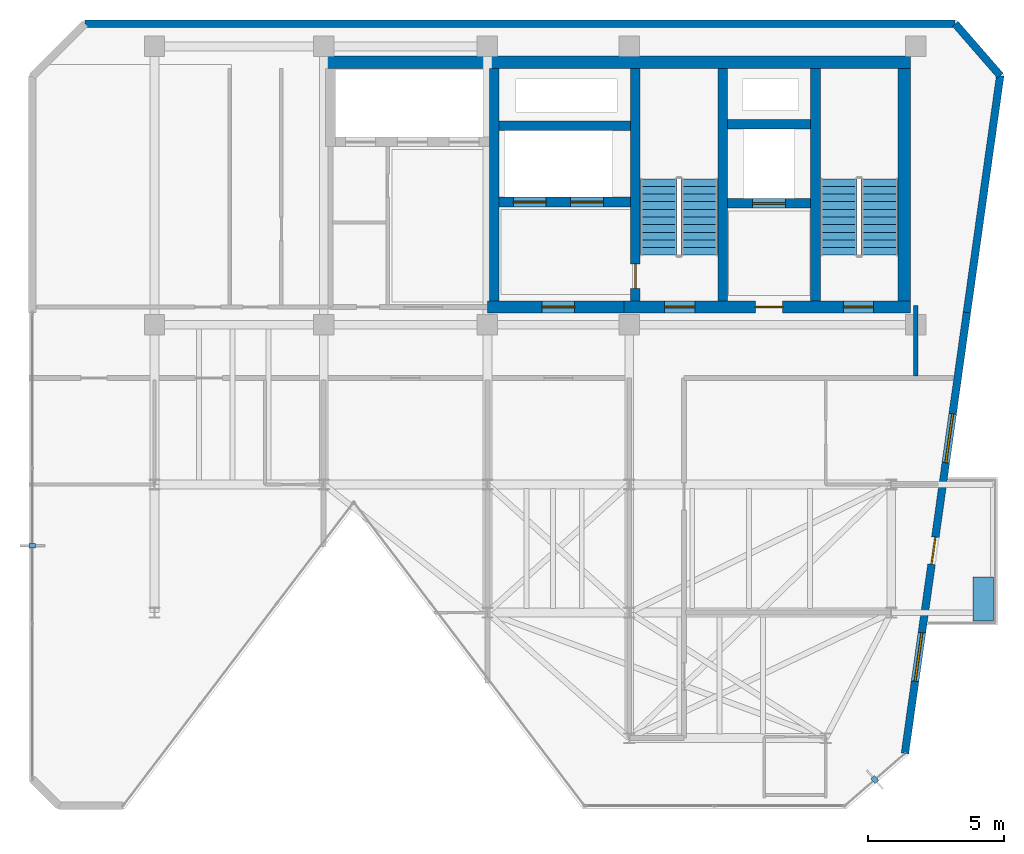
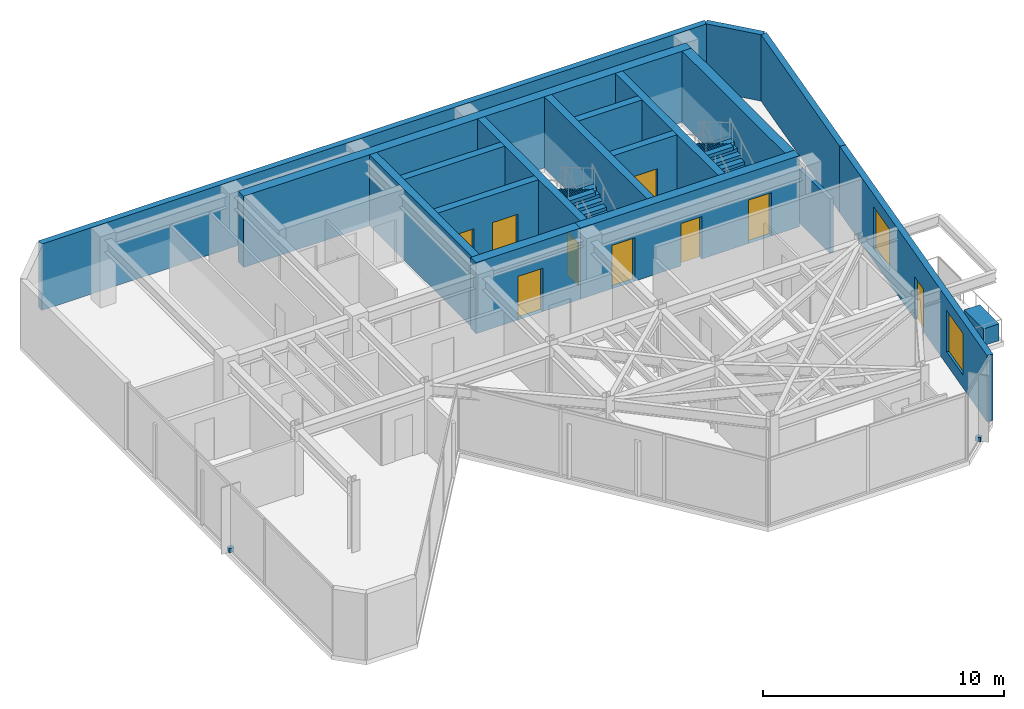
# One storey, part 14 of 16: 17 walls, 9 doors, 4 stair flights, 3 discrete accessories, 2 windows, 11 openings, 2 elements without a shape of their own.
"""IFC4 building model written with IfcOpenShell, lengths in metres."""

from ifc_helpers import new_model, si_unit, direction, frame, frame_2d, origin, origin_2d, place, context, subcontext, project, spatial, polyline, rectangle, outline, extrude, material, layer, layer_set, type_object, element, fill, aggregate, save


model = new_model("IFC4")

# Units and contexts
model_context = context("Model", 3, precision=1e-05, world=origin(), true_north=direction((0.0, 1.0)))
body_context = subcontext(model_context, "Body", "Model", "MODEL_VIEW")
ifc_project = project(units=[si_unit("LENGTHUNIT", "METRE"), si_unit("AREAUNIT", "SQUARE_METRE"), si_unit("VOLUMEUNIT", "CUBIC_METRE"), si_unit("PLANEANGLEUNIT", "RADIAN"), si_unit("MASSUNIT", "GRAM", prefix="KILO")], contexts=[model_context])

# Site, building, storey
site_placement = place(None, origin())
site = spatial("IfcSite", under=ifc_project, at=site_placement, CompositionType="ELEMENT")
building_placement = place(site_placement, origin())
building = spatial("IfcBuilding", under=site, at=building_placement, Name="Kravanh Interchange Tower", CompositionType="ELEMENT")
storey_placement = place(building_placement, frame((0.0, 0.0, 303.89990234375)))
storey = spatial("IfcBuildingStorey", under=building, at=storey_placement, Name="L75", CompositionType="ELEMENT", Elevation=303.89990234375)

# Walls
ifc_material_1 = material(Name="Concrete C60/75", Category="concrete")
ifc_layer_1 = layer(ifc_material_1, 0.35009765625)
ifc_layer_set_1 = layer_set([ifc_layer_1], Name="Core Shear Wall Concrete C60/75 350mm")
wall_type_1 = type_object("IfcWallType", Name="Core Shear Wall Concrete C60/75 350mm", PredefinedType="SHEAR", material=ifc_layer_set_1)
for number, where, z_axis, x_axis, name in (
    (1, (62.824951171875, 38.22509765625, 0.0), (0.0, 0.0, 1.0), (0.0, 1.0, 0.0), "L75 Stair ST1 West Shear Wall"),
    (2, (59.425048828125, 38.22509765625, 0.0), (0.0, 0.0, 1.0), (0.0, 1.0, 0.0), "L75 Stair ST2 East Shear Wall"),
):
    element("IfcWall", number, at=place(storey_placement, frame(where, z_axis=z_axis, x_axis=x_axis)), inside=storey, type_object=wall_type_1, Name=name, PredefinedType="SHEAR", context=body_context, shape_type="SweptSolid", body=[
        extrude(rectangle(XDim=8.52490234375, YDim=0.35009765625, at=frame_2d((4.262451171875, 0.0))), origin(), (0.0, 0.0, 1.0), 3.60009765625),
    ])

# Wall, opening, door
wall_1_placement = place(storey_placement, frame((56.22509765625, 38.22509765625, 0.0), z_axis=(0.0, 0.0, 1.0), x_axis=(0.0, 1.0, 0.0)))
wall_1 = element("IfcWall", 3, at=wall_1_placement, inside=storey, type_object=wall_type_1, Name="L75 Stair ST2 West Shear Wall", PredefinedType="SHEAR", context=body_context, shape_type="SweptSolid", body=[
    extrude(rectangle(XDim=8.52490234375, YDim=0.35009765625, at=frame_2d((4.262451171875, 0.0))), origin(), (0.0, 0.0, 1.0), 3.60009765625),
])
opening_1_placement = place(wall_1_placement, frame((0.455078125, 0.0, 0.0)))
opening_1 = element("IfcOpeningElement", 4, at=opening_1_placement, cuts=wall_1, Name="Opening D-STAIR-90", PredefinedType="OPENING", context=body_context, shape_type="SweptSolid", body=[
    extrude(rectangle(XDim=0.89990234375, YDim=2.14990234375, at=frame_2d((0.449951171875, 1.074951171875))), frame((0.0, 0.18505859375, 0.0), z_axis=(0.0, -1.0, 0.0), x_axis=(1.0, 0.0, 0.0)), (0.0, 0.0, 1.0), 0.3701171875),
])
ifc_material_2 = material(Name="Structural Steel S355", Category="steel")
door_type_1 = type_object("IfcDoorType", Name="Fire-Rated Stair Lobby Door 900x2150", OperationType="NOTDEFINED", PredefinedType="DOOR", material=ifc_material_2)
door_1_placement = place(opening_1_placement, origin())
door_1 = element("IfcDoor", 5, at=door_1_placement, inside=storey, type_object=door_type_1, Name="L75 Firefighting Lobby to Stair ST2 Door", OperationType="SINGLE_SWING_LEFT", OverallHeight=2.14990234375, OverallWidth=0.89990234375, PredefinedType="DOOR", context=body_context, shape_type="SweptSolid", body=[
    extrude(rectangle(XDim=0.89990234375, YDim=2.14990234375, at=frame_2d((0.449951171875, 1.074951171875))), frame((0.0, 0.02490234375, 0.0), z_axis=(0.0, -1.0, 0.0), x_axis=(1.0, 0.0, 0.0)), (0.0, 0.0, 1.0), 0.050048828125),
])
fill(opening_1, door_1)

wall_2_placement = place(storey_placement, frame((59.60009765625, 41.800048828125, 0.0), z_axis=(0.0, 0.0, 1.0), x_axis=(1.0, 0.0, 0.0)))
wall_2 = element("IfcWall", 6, at=wall_2_placement, inside=storey, type_object=wall_type_1, Name="L75 Service Lift Shaft South Wall", PredefinedType="SHEAR", context=body_context, shape_type="SweptSolid", body=[
    extrude(rectangle(XDim=3.0498046875, YDim=0.35009765625, at=frame_2d((1.52490234375, 0.0))), origin(), (0.0, 0.0, 1.0), 3.60009765625),
])
opening_2_placement = place(wall_2_placement, frame((0.919921875, 0.0, 0.0)))
opening_2 = element("IfcOpeningElement", 7, at=opening_2_placement, cuts=wall_2, Name="Opening LD02", PredefinedType="OPENING", context=body_context, shape_type="SweptSolid", body=[
    extrude(rectangle(XDim=1.199951171875, YDim=2.199951171875, at=frame_2d((0.60009765625, 1.10009765625))), frame((0.0, 0.18505859375, 0.0), z_axis=(0.0, -1.0, 0.0), x_axis=(1.0, 0.0, 0.0)), (0.0, 0.0, 1.0), 0.3701171875),
])
ifc_material_3 = material(Name="Stainless Steel 316", Category="steel")
door_type_2 = type_object("IfcDoorType", Name="Fire and Service Lift Sliding Landing Door 1200x2200", OperationType="DOUBLE_DOOR_SLIDING", PredefinedType="DOOR", material=ifc_material_3)
door_2_placement = place(opening_2_placement, origin())
door_2 = element("IfcDoor", 8, at=door_2_placement, inside=storey, type_object=door_type_2, Name="L75 Lift LS-01 Landing Door", OperationType="DOUBLE_DOOR_SLIDING", OverallHeight=2.199951171875, OverallWidth=1.199951171875, PredefinedType="DOOR", context=body_context, shape_type="SweptSolid", body=[
    extrude(rectangle(XDim=1.199951171875, YDim=2.199951171875, at=frame_2d((0.60009765625, 1.10009765625))), frame((0.0, 0.02490234375, 0.0), z_axis=(0.0, -1.0, 0.0), x_axis=(1.0, 0.0, 0.0)), (0.0, 0.0, 1.0), 0.050048828125),
])
fill(opening_2, door_2)

# Wall
wall_3_placement = place(storey_placement, frame((59.60009765625, 44.699951171875, 0.0), z_axis=(0.0, 0.0, 1.0), x_axis=(1.0, 0.0, 0.0)))
element("IfcWall", 9, at=wall_3_placement, inside=storey, type_object=wall_type_1, Name="L75 Service Lift Shaft North Wall", PredefinedType="SHEAR", context=body_context, shape_type="SweptSolid", body=[
    extrude(rectangle(XDim=3.0498046875, YDim=0.35009765625, at=frame_2d((1.52490234375, 0.0))), origin(), (0.0, 0.0, 1.0), 3.60009765625),
])

# Wall, openings, doors
wall_4_placement = place(storey_placement, frame((51.22509765625, 41.85009765625, 0.0), z_axis=(0.0, 0.0, 1.0), x_axis=(1.0, 0.0, 0.0)))
wall_4 = element("IfcWall", 10, at=wall_4_placement, inside=storey, type_object=wall_type_1, Name="L75 Fire Lift Shaft South Wall", PredefinedType="SHEAR", context=body_context, shape_type="SweptSolid", body=[
    extrude(rectangle(XDim=4.824951171875, YDim=0.35009765625, at=frame_2d((2.41259765625, 0.0))), origin(), (0.0, 0.0, 1.0), 3.60009765625),
])
opening_3_placement = place(wall_4_placement, frame((0.52490234375, 0.0, 0.0)))
opening_3 = element("IfcOpeningElement", 11, at=opening_3_placement, cuts=wall_4, Name="Opening LD02", PredefinedType="OPENING", context=body_context, shape_type="SweptSolid", body=[
    extrude(rectangle(XDim=1.199951171875, YDim=2.199951171875, at=frame_2d((0.60009765625, 1.10009765625))), frame((0.0, 0.18505859375, 0.0), z_axis=(0.0, -1.0, 0.0), x_axis=(1.0, 0.0, 0.0)), (0.0, 0.0, 1.0), 0.3701171875),
])
opening_4_placement = place(wall_4_placement, frame((2.625, 0.0, 0.0)))
opening_4 = element("IfcOpeningElement", 12, at=opening_4_placement, cuts=wall_4, Name="Opening LD02", PredefinedType="OPENING", context=body_context, shape_type="SweptSolid", body=[
    extrude(rectangle(XDim=1.199951171875, YDim=2.199951171875, at=frame_2d((0.60009765625, 1.10009765625))), frame((0.0, 0.18505859375, 0.0), z_axis=(0.0, -1.0, 0.0), x_axis=(1.0, 0.0, 0.0)), (0.0, 0.0, 1.0), 0.3701171875),
])
door_3_placement = place(opening_3_placement, origin())
door_3 = element("IfcDoor", 13, at=door_3_placement, inside=storey, type_object=door_type_2, Name="L75 Lift FSAE-01 Landing Door", OperationType="DOUBLE_DOOR_SLIDING", OverallHeight=2.199951171875, OverallWidth=1.199951171875, PredefinedType="DOOR", context=body_context, shape_type="SweptSolid", body=[
    extrude(rectangle(XDim=1.199951171875, YDim=2.199951171875, at=frame_2d((0.60009765625, 1.10009765625))), frame((0.0, 0.02490234375, 0.0), z_axis=(0.0, -1.0, 0.0), x_axis=(1.0, 0.0, 0.0)), (0.0, 0.0, 1.0), 0.050048828125),
])
fill(opening_3, door_3)
door_4_placement = place(opening_4_placement, origin())
door_4 = element("IfcDoor", 14, at=door_4_placement, inside=storey, type_object=door_type_2, Name="L75 Lift FSAE-02 Landing Door", OperationType="DOUBLE_DOOR_SLIDING", OverallHeight=2.199951171875, OverallWidth=1.199951171875, PredefinedType="DOOR", context=body_context, shape_type="SweptSolid", body=[
    extrude(rectangle(XDim=1.199951171875, YDim=2.199951171875, at=frame_2d((0.60009765625, 1.10009765625))), frame((0.0, 0.02490234375, 0.0), z_axis=(0.0, -1.0, 0.0), x_axis=(1.0, 0.0, 0.0)), (0.0, 0.0, 1.0), 0.050048828125),
])
fill(opening_4, door_4)

# Walls
wall_5_placement = place(storey_placement, frame((51.22509765625, 44.64990234375, 0.0), z_axis=(0.0, 0.0, 1.0), x_axis=(1.0, 0.0, 0.0)))
element("IfcWall", 15, at=wall_5_placement, inside=storey, type_object=wall_type_1, Name="L75 Fire Lift Shaft North Wall", PredefinedType="SHEAR", context=body_context, shape_type="SweptSolid", body=[
    extrude(rectangle(XDim=4.824951171875, YDim=0.35009765625, at=frame_2d((2.41259765625, 0.0))), origin(), (0.0, 0.0, 1.0), 3.60009765625),
])
wall_6_placement = place(storey_placement, frame((51.050048828125, 38.22509765625, 0.0), z_axis=(0.0, 0.0, 1.0), x_axis=(0.0, 1.0, 0.0)))
element("IfcWall", 16, at=wall_6_placement, inside=storey, type_object=wall_type_1, Name="L75 Firefighting Lobby West Wall", PredefinedType="SHEAR", context=body_context, shape_type="SweptSolid", body=[
    extrude(rectangle(XDim=8.52490234375, YDim=0.35009765625, at=frame_2d((4.262451171875, 0.0))), origin(), (0.0, 0.0, 1.0), 3.60009765625),
])
ifc_material_4 = material(Name="Concrete C60/75", Category="concrete")
ifc_layer_2 = layer(ifc_material_4, 0.449951171875)
ifc_layer_set_2 = layer_set([ifc_layer_2], Name="Core Shear Wall Concrete C60/75 450mm")
wall_type_2 = type_object("IfcWallType", Name="Core Shear Wall Concrete C60/75 450mm", PredefinedType="SHEAR", material=ifc_layer_set_2)
wall_7_placement = place(storey_placement, frame((44.85009765625, 46.97509765625, 0.0), z_axis=(0.0, 0.0, 1.0), x_axis=(1.0, 0.0, 0.0)))
element("IfcWall", 17, at=wall_7_placement, inside=storey, type_object=wall_type_2, Name="L75 North Core Shear Wall", PredefinedType="SHEAR", context=body_context, shape_type="SweptSolid", body=[
    extrude(rectangle(XDim=21.449951171875, YDim=0.449951171875, at=frame_2d((10.72509765625, 0.0))), origin(), (0.0, 0.0, 1.0), 3.60009765625),
])

# Wall, openings, doors
wall_8_placement = place(storey_placement, frame((55.800048828125, 38.0, 0.0), z_axis=(0.0, 0.0, 1.0), x_axis=(1.0, 0.0, 0.0)))
wall_8 = element("IfcWall", 18, at=wall_8_placement, inside=storey, type_object=wall_type_2, Name="L75 East Core South Shear Wall", PredefinedType="SHEAR", context=body_context, shape_type="SweptSolid", body=[
    extrude(rectangle(XDim=10.5, YDim=0.449951171875, at=frame_2d((5.25, 0.0))), origin(), (0.0, 0.0, 1.0), 3.60009765625),
])
opening_5_placement = place(wall_8_placement, frame((1.5, 0.0, 0.0)))
opening_5 = element("IfcOpeningElement", 19, at=opening_5_placement, cuts=wall_8, Name="Opening D-STAIR-110", PredefinedType="OPENING", context=body_context, shape_type="SweptSolid", body=[
    extrude(rectangle(XDim=1.10009765625, YDim=2.199951171875, at=frame_2d((0.550048828125, 1.10009765625))), frame((0.0, 0.23486328125, 0.0), z_axis=(0.0, -1.0, 0.0), x_axis=(1.0, 0.0, 0.0)), (0.0, 0.0, 1.0), 0.469970703125),
])
opening_6_placement = place(wall_8_placement, frame((4.820068359375, 0.0, 0.0)))
opening_6 = element("IfcOpeningElement", 20, at=opening_6_placement, cuts=wall_8, Name="Opening D-HOTEL-100", PredefinedType="OPENING", context=body_context, shape_type="SweptSolid", body=[
    extrude(rectangle(XDim=1.0, YDim=2.14990234375, at=frame_2d((0.5, 1.074951171875))), frame((0.0, 0.23486328125, 0.0), z_axis=(0.0, -1.0, 0.0), x_axis=(1.0, 0.0, 0.0)), (0.0, 0.0, 1.0), 0.469970703125),
])
opening_7_placement = place(wall_8_placement, frame((8.050048828125, 0.0, 0.0)))
opening_7 = element("IfcOpeningElement", 21, at=opening_7_placement, cuts=wall_8, Name="Opening D-STAIR-110", PredefinedType="OPENING", context=body_context, shape_type="SweptSolid", body=[
    extrude(rectangle(XDim=1.10009765625, YDim=2.199951171875, at=frame_2d((0.550048828125, 1.10009765625))), frame((0.0, 0.23486328125, 0.0), z_axis=(0.0, -1.0, 0.0), x_axis=(1.0, 0.0, 0.0)), (0.0, 0.0, 1.0), 0.469970703125),
])
ifc_material_5 = material(Name="Structural Steel S355", Category="steel")
door_type_3 = type_object("IfcDoorType", Name="Fire-Rated Exit Stair Door 1100x2200", OperationType="NOTDEFINED", PredefinedType="DOOR", material=ifc_material_5)
door_5_placement = place(opening_5_placement, origin())
door_5 = element("IfcDoor", 22, at=door_5_placement, inside=storey, type_object=door_type_3, Name="L75 Exit Stair ST2 Door", OperationType="SINGLE_SWING_RIGHT", OverallHeight=2.199951171875, OverallWidth=1.10009765625, PredefinedType="DOOR", context=body_context, shape_type="SweptSolid", body=[
    extrude(rectangle(XDim=1.10009765625, YDim=2.199951171875, at=frame_2d((0.550048828125, 1.10009765625))), frame((0.0, 0.02490234375, 0.0), z_axis=(0.0, -1.0, 0.0), x_axis=(1.0, 0.0, 0.0)), (0.0, 0.0, 1.0), 0.050048828125),
])
fill(opening_5, door_5)
door_6_placement = place(opening_7_placement, origin())
door_6 = element("IfcDoor", 23, at=door_6_placement, inside=storey, type_object=door_type_3, Name="L75 Exit Stair ST1 Door", OperationType="SINGLE_SWING_RIGHT", OverallHeight=2.199951171875, OverallWidth=1.10009765625, PredefinedType="DOOR", context=body_context, shape_type="SweptSolid", body=[
    extrude(rectangle(XDim=1.10009765625, YDim=2.199951171875, at=frame_2d((0.550048828125, 1.10009765625))), frame((0.0, 0.02490234375, 0.0), z_axis=(0.0, -1.0, 0.0), x_axis=(1.0, 0.0, 0.0)), (0.0, 0.0, 1.0), 0.050048828125),
])
fill(opening_7, door_6)
ifc_material_6 = material(Name="Fire-Rated Solid Timber Leaf", Category="wood")
door_type_4 = type_object("IfcDoorType", Name="Fire-Rated Suite Entrance Door 1000x2150", OperationType="NOTDEFINED", PredefinedType="DOOR", material=ifc_material_6)
door_7_placement = place(opening_6_placement, origin())
door_7 = element("IfcDoor", 24, at=door_7_placement, inside=storey, type_object=door_type_4, Name="L75 Service Lift Lobby Door", OperationType="SINGLE_SWING_RIGHT", OverallHeight=2.14990234375, OverallWidth=1.0, PredefinedType="DOOR", context=body_context, shape_type="SweptSolid", body=[
    extrude(rectangle(XDim=1.0, YDim=2.14990234375, at=frame_2d((0.5, 1.074951171875))), frame((0.0, 0.02490234375, 0.0), z_axis=(0.0, -1.0, 0.0), x_axis=(1.0, 0.0, 0.0)), (0.0, 0.0, 1.0), 0.050048828125),
])
fill(opening_6, door_7)

# Wall
wall_9_placement = place(storey_placement, frame((66.074951171875, 38.22509765625, 0.0), z_axis=(0.0, 0.0, 1.0), x_axis=(0.0, 1.0, 0.0)))
element("IfcWall", 25, at=wall_9_placement, inside=storey, type_object=wall_type_2, Name="L75 Stair ST1 East Shear Wall", PredefinedType="SHEAR", context=body_context, shape_type="SweptSolid", body=[
    extrude(rectangle(XDim=8.52490234375, YDim=0.449951171875, at=frame_2d((4.262451171875, 0.0))), origin(), (0.0, 0.0, 1.0), 3.60009765625),
])

# Wall, opening, door
wall_10_placement = place(storey_placement, frame((50.800048828125, 38.0, 0.0), z_axis=(0.0, 0.0, 1.0), x_axis=(1.0, 0.0, 0.0)))
wall_10 = element("IfcWall", 26, at=wall_10_placement, inside=storey, type_object=wall_type_2, Name="L75 Firefighting Lobby South Shear Wall", PredefinedType="SHEAR", context=body_context, shape_type="SweptSolid", body=[
    extrude(rectangle(XDim=5.0, YDim=0.449951171875, at=frame_2d((2.5, 0.0))), origin(), (0.0, 0.0, 1.0), 3.60009765625),
])
opening_8_placement = place(wall_10_placement, frame((2.0, 0.0, 0.0)))
opening_8 = element("IfcOpeningElement", 27, at=opening_8_placement, cuts=wall_10, Name="Opening D-FSAE-120", PredefinedType="OPENING", context=body_context, shape_type="SweptSolid", body=[
    extrude(rectangle(XDim=1.199951171875, YDim=2.199951171875, at=frame_2d((0.60009765625, 1.10009765625))), frame((0.0, 0.23486328125, 0.0), z_axis=(0.0, -1.0, 0.0), x_axis=(1.0, 0.0, 0.0)), (0.0, 0.0, 1.0), 0.469970703125),
])
ifc_material_7 = material(Name="Structural Steel S355", Category="steel")
door_type_5 = type_object("IfcDoorType", Name="Fire-Rated Refuge and FSAE Door 1200x2200", OperationType="NOTDEFINED", PredefinedType="DOOR", material=ifc_material_7)
door_8_placement = place(opening_8_placement, origin())
door_8 = element("IfcDoor", 28, at=door_8_placement, inside=storey, type_object=door_type_5, Name="L75 Firefighting Lobby Corridor Door", OperationType="SINGLE_SWING_RIGHT", OverallHeight=2.199951171875, OverallWidth=1.199951171875, PredefinedType="DOOR", context=body_context, shape_type="SweptSolid", body=[
    extrude(rectangle(XDim=1.199951171875, YDim=2.199951171875, at=frame_2d((0.60009765625, 1.10009765625))), frame((0.0, 0.02490234375, 0.0), z_axis=(0.0, -1.0, 0.0), x_axis=(1.0, 0.0, 0.0)), (0.0, 0.0, 1.0), 0.050048828125),
])
fill(opening_8, door_8)

# Walls
ifc_material_8 = material(Name="Insulated Precast Concrete C40/50 with Bronze Cladding", Category="concrete")
ifc_layer_3 = layer(ifc_material_8, 0.280029296875)
ifc_layer_set_3 = layer_set([ifc_layer_3], Name="Exterior Insulated Concrete C40/50 Bronze Spandrel Wall 280mm")
wall_type_3 = type_object("IfcWallType", Name="Exterior Insulated Concrete C40/50 Bronze Spandrel Wall 280mm", PredefinedType="STANDARD", material=ifc_layer_set_3)
wall_11_placement = place(storey_placement, frame((36.0498046875, 48.3798828125, 0.0), z_axis=(0.0, 0.0, 1.0), x_axis=(1.0, 0.0, 0.0)))
element("IfcWall", 29, at=wall_11_placement, inside=storey, type_object=wall_type_3, Name="L75 Exterior Wall 3", PredefinedType="STANDARD", context=body_context, shape_type="SweptSolid", body=[
    extrude(rectangle(XDim=31.8955078125, YDim=0.280029296875, at=frame_2d((15.94775390625, 0.0))), origin(), (0.0, 0.0, 1.0), 3.364990234375),
])
wall_12_placement = place(storey_placement, frame((67.9453125, 48.3798828125, 0.0), z_axis=(0.0, 0.0, 1.0), x_axis=(0.656068147197, -0.75470165379, 0.0)))
element("IfcWall", 30, at=wall_12_placement, inside=storey, type_object=wall_type_3, Name="L75 Exterior Wall 4", PredefinedType="STANDARD", context=body_context, shape_type="SweptSolid", body=[
    extrude(rectangle(XDim=2.514892578125, YDim=0.280029296875, at=frame_2d((1.25732421875, 0.0))), origin(), (0.0, 0.0, 1.0), 3.364990234375),
])
wall_13_placement = place(storey_placement, frame((69.59521484375, 46.48193359375, 0.0), z_axis=(0.0, 0.0, 1.0), x_axis=(-0.139179310088, -0.990267196086, 0.0)))
element("IfcWall", 31, at=wall_13_placement, inside=storey, type_object=wall_type_3, Name="L75 Exterior Wall 5", PredefinedType="STANDARD", context=body_context, shape_type="SweptSolid", body=[
    extrude(rectangle(XDim=8.767333984375, YDim=0.280029296875, at=frame_2d((4.3837890625, 0.0))), origin(), (0.0, 0.0, 1.0), 3.364990234375),
])

# Wall, openings, door, windows
wall_14_placement = place(storey_placement, frame((68.375, 37.800048828125, 0.0), z_axis=(0.0, 0.0, 1.0), x_axis=(-0.139177573889, -0.990267440102, 0.0)))
wall_14 = element("IfcWall", 32, at=wall_14_placement, inside=storey, type_object=wall_type_3, Name="L75 Exterior Wall 6", PredefinedType="STANDARD", context=body_context, shape_type="SweptSolid", body=[
    extrude(rectangle(XDim=16.317138671875, YDim=0.280029296875, at=frame_2d((8.15869140625, 0.0))), origin(), (0.0, 0.0, 1.0), 3.364990234375),
])
opening_9_placement = place(wall_14_placement, frame((8.319091796875, 0.0, 0.0)))
opening_9 = element("IfcOpeningElement", 33, at=opening_9_placement, cuts=wall_14, Name="Opening ED-BAL100", PredefinedType="OPENING", context=body_context, shape_type="SweptSolid", body=[
    extrude(rectangle(XDim=1.0, YDim=2.14990234375, at=frame_2d((0.5, 1.074951171875))), frame((0.0, 0.14990234375, 0.0), z_axis=(0.0, -1.0, 0.0), x_axis=(1.0, 0.0, 0.0)), (0.0, 0.0, 1.0), 0.300048828125),
])
opening_10_placement = place(wall_14_placement, frame((3.75439453125, 0.0, 0.64990234375)))
opening_10 = element("IfcOpeningElement", 34, at=opening_10_placement, cuts=wall_14, Name="Opening WN-180X210", PredefinedType="OPENING", context=body_context, shape_type="SweptSolid", body=[
    extrude(rectangle(XDim=1.800048828125, YDim=2.10009765625, at=frame_2d((0.89990234375, 1.050048828125))), frame((0.0, 0.14990234375, 0.0), z_axis=(0.0, -1.0, 0.0), x_axis=(1.0, 0.0, 0.0)), (0.0, 0.0, 1.0), 0.300048828125),
])
opening_11_placement = place(wall_14_placement, frame((11.850341796875, 0.0, 0.64990234375)))
opening_11 = element("IfcOpeningElement", 35, at=opening_11_placement, cuts=wall_14, Name="Opening WN-180X210", PredefinedType="OPENING", context=body_context, shape_type="SweptSolid", body=[
    extrude(rectangle(XDim=1.800048828125, YDim=2.10009765625, at=frame_2d((0.89990234375, 1.050048828125))), frame((0.0, 0.14990234375, 0.0), z_axis=(0.0, -1.0, 0.0), x_axis=(1.0, 0.0, 0.0)), (0.0, 0.0, 1.0), 0.300048828125),
])
ifc_material_9 = material(Name="Thermally Broken Bronze Aluminium and Laminated Glass", Category="aluminium")
door_type_6 = type_object("IfcDoorType", Name="Balcony Glazed Door 1000x2150", OperationType="NOTDEFINED", PredefinedType="DOOR", material=ifc_material_9)
door_9_placement = place(opening_9_placement, origin())
door_9 = element("IfcDoor", 36, at=door_9_placement, inside=storey, type_object=door_type_6, Name="L75 E Tree Balcony Access Door", OperationType="SINGLE_SWING_LEFT", OverallHeight=2.14990234375, OverallWidth=1.0, PredefinedType="DOOR", context=body_context, shape_type="SweptSolid", body=[
    extrude(rectangle(XDim=1.0, YDim=2.14990234375, at=frame_2d((0.5, 1.074951171875))), frame((0.0, 0.02490234375, 0.0), z_axis=(0.0, -1.0, 0.0), x_axis=(1.0, 0.0, 0.0)), (0.0, 0.0, 1.0), 0.050048828125),
])
fill(opening_9, door_9)
ifc_material_10 = material(Name="Thermally Broken Bronze Aluminium and Low-E Glass", Category="aluminium")
window_type = type_object("IfcWindowType", Name="Tower Pier Window 1800x2100", PartitioningType="SINGLE_PANEL", PredefinedType="WINDOW", material=ifc_material_10)
window_1_placement = place(opening_10_placement, origin())
window_1 = element("IfcWindow", 37, at=window_1_placement, inside=storey, type_object=window_type, Name="L75 Facade Window 6A", OverallHeight=2.10009765625, OverallWidth=1.800048828125, PartitioningType="SINGLE_PANEL", PredefinedType="WINDOW", context=body_context, shape_type="SweptSolid", body=[
    extrude(rectangle(XDim=1.800048828125, YDim=2.10009765625, at=frame_2d((0.89990234375, 1.050048828125))), frame((0.0, 0.030029296875, 0.0), z_axis=(0.0, -1.0, 0.0), x_axis=(1.0, 0.0, 0.0)), (0.0, 0.0, 1.0), 0.06005859375),
])
fill(opening_10, window_1)
window_2_placement = place(opening_11_placement, origin())
window_2 = element("IfcWindow", 38, at=window_2_placement, inside=storey, type_object=window_type, Name="L75 Facade Window 6B", OverallHeight=2.10009765625, OverallWidth=1.800048828125, PartitioningType="SINGLE_PANEL", PredefinedType="WINDOW", context=body_context, shape_type="SweptSolid", body=[
    extrude(rectangle(XDim=1.800048828125, YDim=2.10009765625, at=frame_2d((0.89990234375, 1.050048828125))), frame((0.0, 0.030029296875, 0.0), z_axis=(0.0, -1.0, 0.0), x_axis=(1.0, 0.0, 0.0)), (0.0, 0.0, 1.0), 0.06005859375),
])
fill(opening_11, window_2)

# Wall
ifc_material_11 = material(Name="Autoclaved Aerated Concrete C30/37 Blockwork", Category="masonry")
ifc_layer_4 = layer(ifc_material_11, 0.179931640625)
ifc_layer_set_4 = layer_set([ifc_layer_4], Name="Fire-Rated Lobby and Corridor Wall Concrete C30/37 180mm")
wall_type_4 = type_object("IfcWallType", Name="Fire-Rated Lobby and Corridor Wall Concrete C30/37 180mm", PredefinedType="STANDARD", material=ifc_layer_set_4)
wall_15_placement = place(storey_placement, frame((66.5, 35.468017578125, 0.0), z_axis=(0.0, 0.0, 1.0), x_axis=(0.0, 1.0, 0.0)))
element("IfcWall", 39, at=wall_15_placement, inside=storey, type_object=wall_type_4, Name="L75 Interior Partition 11", PredefinedType="STANDARD", context=body_context, shape_type="SweptSolid", body=[
    extrude(rectangle(XDim=2.58203125, YDim=0.179931640625, at=frame_2d((1.291015625, 0.0))), origin(), (0.0, 0.0, 1.0), 2.754150390625),
])

# Stair, stair flights
ifc_material_12 = material(Name="Concrete C50/60", Category="concrete")
stair_type = type_object("IfcStairType", Name="Core Fire Exit Dogleg Stair Concrete C50/60", PredefinedType="HALF_TURN_STAIR", material=ifc_material_12)
stair_1_placement = place(storey_placement, origin())
stair_1 = element("IfcStair", 40, at=stair_1_placement, inside=storey, type_object=stair_type, Name="L75 Exit Stair ST1", PredefinedType="HALF_TURN_STAIR")
ifc_material_13 = material(Name="Precast Concrete C50/60", Category="concrete")
ifc_layer_5 = layer(ifc_material_13, 0.199951171875)
ifc_layer_set_5 = layer_set([ifc_layer_5], Name="Precast Concrete C50/60 Stair Flight 1350mm")
stair_flight_type = type_object("IfcStairFlightType", Name="Precast Concrete C50/60 Stair Flight 1350mm", PredefinedType="STRAIGHT", material=ifc_layer_set_5)
stair_flight_1_placement = place(storey_placement, frame((65.175048828125, 39.89990234375, 0.0), z_axis=(0.0, 0.0, 1.0), x_axis=(0.0, 1.0, 0.0)))
stair_flight_1 = element("IfcStairFlight", 41, at=stair_flight_1_placement, type_object=stair_flight_type, Name="ST1 flight 1", NumberOfRisers=11, NumberOfTreads=10, PredefinedType="STRAIGHT", RiserHeight=0.163636364, TreadLength=0.28, context=body_context, shape_type="SweptSolid", body=[
    extrude(outline(polyline([(0.0, 0.0), (0.0, 0.16357421875), (0.280029296875, 0.16357421875), (0.280029296875, 0.327392578125), (0.56005859375, 0.327392578125), (0.56005859375, 0.490966796875), (0.840087890625, 0.490966796875), (0.840087890625, 0.654541015625), (1.1201171875, 0.654541015625), (1.1201171875, 0.818115234375), (1.39990234375, 0.818115234375), (1.39990234375, 0.98193359375), (1.679931640625, 0.98193359375), (1.679931640625, 1.1455078125), (1.9599609375, 1.1455078125), (1.9599609375, 1.30908203125), (2.239990234375, 1.30908203125), (2.239990234375, 1.47265625), (2.52001953125, 1.47265625), (2.52001953125, 1.636474609375), (2.800048828125, 1.636474609375), (2.800048828125, 1.800048828125), (2.800048828125, 1.462646484375), (0.297119140625, 0.0), (0.0, 0.0)])), frame((0.0, 0.675048828125, 0.0), z_axis=(0.0, -1.0, 0.0), x_axis=(1.0, 0.0, 0.0)), (0.0, 0.0, 1.0), 1.35009765625),
])
stair_flight_2_placement = place(storey_placement, frame((63.675048828125, 42.699951171875, 1.800048828125), z_axis=(0.0, 0.0, 1.0), x_axis=(0.0, -1.0, 0.0)))
stair_flight_2 = element("IfcStairFlight", 42, at=stair_flight_2_placement, type_object=stair_flight_type, Name="ST1 flight 2", NumberOfRisers=11, NumberOfTreads=10, PredefinedType="STRAIGHT", RiserHeight=0.163636364, TreadLength=0.28, context=body_context, shape_type="SweptSolid", body=[
    extrude(outline(polyline([(0.0, 0.0), (0.0, 0.16357421875), (0.280029296875, 0.16357421875), (0.280029296875, 0.327392578125), (0.56005859375, 0.327392578125), (0.56005859375, 0.490966796875), (0.840087890625, 0.490966796875), (0.840087890625, 0.654541015625), (1.1201171875, 0.654541015625), (1.1201171875, 0.818115234375), (1.39990234375, 0.818115234375), (1.39990234375, 0.98193359375), (1.679931640625, 0.98193359375), (1.679931640625, 1.1455078125), (1.9599609375, 1.1455078125), (1.9599609375, 1.30908203125), (2.239990234375, 1.30908203125), (2.239990234375, 1.47265625), (2.52001953125, 1.47265625), (2.52001953125, 1.636474609375), (2.800048828125, 1.636474609375), (2.800048828125, 1.800048828125), (2.800048828125, 1.462646484375), (0.297119140625, 0.0), (0.0, 0.0)])), frame((0.0, 0.675048828125, 0.0), z_axis=(0.0, -1.0, 0.0), x_axis=(1.0, 0.0, 0.0)), (0.0, 0.0, 1.0), 1.35009765625),
])
aggregate(stair_1, [stair_flight_1, stair_flight_2])

stair_2_placement = place(storey_placement, origin())
stair_2 = element("IfcStair", 43, at=stair_2_placement, inside=storey, type_object=stair_type, Name="L75 Exit Stair ST2", PredefinedType="HALF_TURN_STAIR")
stair_flight_3_placement = place(storey_placement, frame((58.574951171875, 39.89990234375, 0.0), z_axis=(0.0, 0.0, 1.0), x_axis=(0.0, 1.0, 0.0)))
stair_flight_3 = element("IfcStairFlight", 44, at=stair_flight_3_placement, type_object=stair_flight_type, Name="ST2 flight 1", NumberOfRisers=11, NumberOfTreads=10, PredefinedType="STRAIGHT", RiserHeight=0.163636364, TreadLength=0.28, context=body_context, shape_type="SweptSolid", body=[
    extrude(outline(polyline([(0.0, 0.0), (0.0, 0.16357421875), (0.280029296875, 0.16357421875), (0.280029296875, 0.327392578125), (0.56005859375, 0.327392578125), (0.56005859375, 0.490966796875), (0.840087890625, 0.490966796875), (0.840087890625, 0.654541015625), (1.1201171875, 0.654541015625), (1.1201171875, 0.818115234375), (1.39990234375, 0.818115234375), (1.39990234375, 0.98193359375), (1.679931640625, 0.98193359375), (1.679931640625, 1.1455078125), (1.9599609375, 1.1455078125), (1.9599609375, 1.30908203125), (2.239990234375, 1.30908203125), (2.239990234375, 1.47265625), (2.52001953125, 1.47265625), (2.52001953125, 1.636474609375), (2.800048828125, 1.636474609375), (2.800048828125, 1.800048828125), (2.800048828125, 1.462646484375), (0.297119140625, 0.0), (0.0, 0.0)])), frame((0.0, 0.675048828125, 0.0), z_axis=(0.0, -1.0, 0.0), x_axis=(1.0, 0.0, 0.0)), (0.0, 0.0, 1.0), 1.35009765625),
])
stair_flight_4_placement = place(storey_placement, frame((57.074951171875, 42.699951171875, 1.800048828125), z_axis=(0.0, 0.0, 1.0), x_axis=(0.0, -1.0, 0.0)))
stair_flight_4 = element("IfcStairFlight", 45, at=stair_flight_4_placement, type_object=stair_flight_type, Name="ST2 flight 2", NumberOfRisers=11, NumberOfTreads=10, PredefinedType="STRAIGHT", RiserHeight=0.163636364, TreadLength=0.28, context=body_context, shape_type="SweptSolid", body=[
    extrude(outline(polyline([(0.0, 0.0), (0.0, 0.16357421875), (0.280029296875, 0.16357421875), (0.280029296875, 0.327392578125), (0.56005859375, 0.327392578125), (0.56005859375, 0.490966796875), (0.840087890625, 0.490966796875), (0.840087890625, 0.654541015625), (1.1201171875, 0.654541015625), (1.1201171875, 0.818115234375), (1.39990234375, 0.818115234375), (1.39990234375, 0.98193359375), (1.679931640625, 0.98193359375), (1.679931640625, 1.1455078125), (1.9599609375, 1.1455078125), (1.9599609375, 1.30908203125), (2.239990234375, 1.30908203125), (2.239990234375, 1.47265625), (2.52001953125, 1.47265625), (2.52001953125, 1.636474609375), (2.800048828125, 1.636474609375), (2.800048828125, 1.800048828125), (2.800048828125, 1.462646484375), (0.297119140625, 0.0), (0.0, 0.0)])), frame((0.0, 0.675048828125, 0.0), z_axis=(0.0, -1.0, 0.0), x_axis=(1.0, 0.0, 0.0)), (0.0, 0.0, 1.0), 1.35009765625),
])
aggregate(stair_2, [stair_flight_3, stair_flight_4])

# Discrete accessories
ifc_material_14 = material(Name="Stainless Steel 316", Category="steel")
discrete_accessory_type_1 = type_object("IfcDiscreteAccessoryType", Name="Solar Fin Curtain-Wall Mounting Bracket Stainless 316", PredefinedType="BRACKET", material=ifc_material_14)
for number, where, z_axis, x_axis, name in (
    (46, (34.1201171875, 29.25, 0.0), (0.0, 0.0, 1.0), (-1.0, 0.0, 0.0), "L75 Solar Fin Mounting Bracket 1"),
    (47, (64.998779296875, 20.680908203125, 0.0), (0.0, 0.0, 1.0), (0.656059788471, -0.754708920016, 0.0), "L75 Solar Fin Mounting Bracket 2"),
):
    element("IfcDiscreteAccessory", number, at=place(storey_placement, frame(where, z_axis=z_axis, x_axis=x_axis)), inside=storey, type_object=discrete_accessory_type_1, Name=name, PredefinedType="BRACKET", context=body_context, shape_type="SweptSolid", body=[
        extrude(rectangle(XDim=0.239990234375, YDim=0.179931640625, at=origin_2d()), origin(), (0.0, 0.0, 1.0), 0.219970703125),
    ])
ifc_material_15 = material(Name="Architectural GRC Concrete C40/50 with Root Barrier", Category="concrete")
discrete_accessory_type_2 = type_object("IfcDiscreteAccessoryType", Name="Structural Balcony Tree Planter Box Concrete C40/50 1600x750x850", PredefinedType="USERDEFINED", material=ifc_material_15)
discrete_accessory_placement = place(storey_placement, frame((68.969970703125, 27.300048828125, 0.0), z_axis=(0.0, 0.0, 1.0), x_axis=(1.0, 0.0, 0.0)))
element("IfcDiscreteAccessory", 48, at=discrete_accessory_placement, inside=storey, type_object=discrete_accessory_type_2, Name="L75 E Balcony TREE PLANTER", ObjectType="PLANTER", PredefinedType="USERDEFINED", context=body_context, shape_type="SweptSolid", body=[
    extrude(rectangle(XDim=0.75, YDim=1.60009765625, at=origin_2d()), origin(), (0.0, 0.0, 1.0), 0.85009765625),
])

save(model, "model.ifc")
